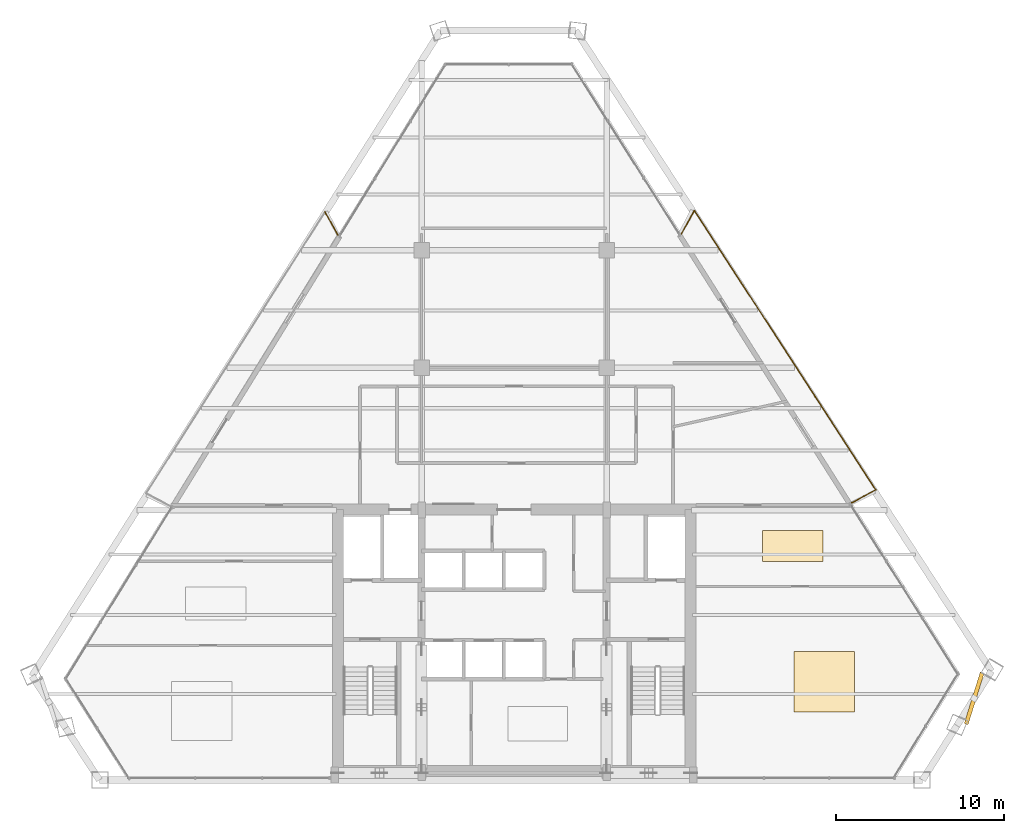
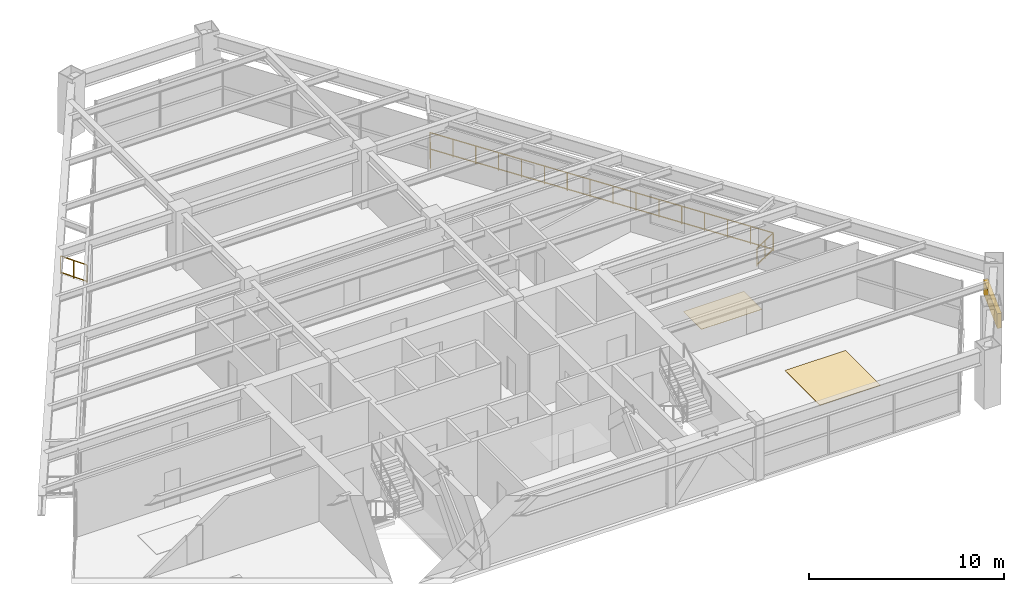
# One storey, part 15 of 15: 4 railings, 2 coverings, 1 shading device.
"""IFC4 building model written with IfcOpenShell, lengths in metres."""

from ifc_helpers import new_model, si_unit, direction, frame, origin, origin_2d, place, context, subcontext, project, spatial, rectangle, extrude, source, transform, mapped, material, layer, layer_set, type_object, type_shapes, element, save


model = new_model("IFC4")

# Units and contexts
model_context = context("Model", 3, precision=1e-05, world=origin(), true_north=direction((0.0, 1.0)))
body_context = subcontext(model_context, "Body", "Model", "MODEL_VIEW")
ifc_project = project(units=[si_unit("LENGTHUNIT", "METRE"), si_unit("AREAUNIT", "SQUARE_METRE"), si_unit("VOLUMEUNIT", "CUBIC_METRE"), si_unit("PLANEANGLEUNIT", "RADIAN"), si_unit("MASSUNIT", "GRAM", prefix="KILO")], contexts=[model_context])

# Site, building, storey
site_placement = place(None, origin())
site = spatial("IfcSite", under=ifc_project, at=site_placement, CompositionType="ELEMENT")
building_placement = place(site_placement, origin())
building = spatial("IfcBuilding", under=site, at=building_placement, Name="Varnakhor Terracotta Tower", CompositionType="ELEMENT")
storey_placement = place(building_placement, frame((0.0, 0.0, 189.5)))
storey = spatial("IfcBuildingStorey", under=building, at=storey_placement, Name="L48", CompositionType="ELEMENT", Elevation=189.5)

# Railings
ifc_material_1 = material(Name="Stainless Steel & Laminated Glass Guardrail", Category="steel")
railing_type = type_object("IfcRailingType", Name="RLG-LOGGIA-GUARD-1150", PredefinedType="GUARDRAIL", material=ifc_material_1)
railing_1_placement = place(storey_placement, frame((9.951416015625, 32.4755859375, 0.0)))
element("IfcRailing", 1, at=railing_1_placement, inside=storey, type_object=railing_type, Name="L48 E Loggia Glass Guard 1", PredefinedType="GUARDRAIL", context=body_context, shape_type="SweptSolid", body=[
    extrude(rectangle(XDim=0.048095703125, YDim=0.048095703125, at=origin_2d()), frame((0.0, 0.0, 1.1259765625), z_axis=(0.484472484481, 0.874806499622, 0.0), x_axis=(-0.874806499622, 0.484472484481, 0.0)), (0.0, 0.0, 1.0), 1.576904296875),
    extrude(rectangle(XDim=0.048095703125, YDim=0.048095703125, at=origin_2d()), frame((0.0, 0.0, 0.10009765625), z_axis=(0.484472484481, 0.874806499622, 0.0), x_axis=(-0.874806499622, 0.484472484481, 0.0)), (0.0, 0.0, 1.0), 1.576904296875),
    extrude(rectangle(XDim=0.0419921875, YDim=0.0419921875, at=origin_2d()), origin(), (0.0, 0.0, 1.0), 1.101806640625),
    extrude(rectangle(XDim=0.0419921875, YDim=0.0419921875, at=origin_2d()), frame((0.3818359375, 0.689697265625, 0.0)), (0.0, 0.0, 1.0), 1.101806640625),
    extrude(rectangle(XDim=0.0419921875, YDim=0.0419921875, at=origin_2d()), frame((0.763916015625, 1.37939453125, 0.0)), (0.0, 0.0, 1.0), 1.101806640625),
])
railing_2_placement = place(storey_placement, frame((10.71533203125, 33.85498046875, 0.0)))
element("IfcRailing", 2, at=railing_2_placement, inside=storey, type_object=railing_type, Name="L48 E Loggia Glass Guard 2", PredefinedType="GUARDRAIL", context=body_context, shape_type="SweptSolid", body=[
    extrude(rectangle(XDim=0.048095703125, YDim=0.048095703125, at=origin_2d()), frame((0.0, 0.0, 1.1259765625), z_axis=(0.544681827488, -0.838642776636, 0.0), x_axis=(0.838642776636, 0.544681827488, 0.0)), (0.0, 0.0, 1.0), 19.79541015625),
    extrude(rectangle(XDim=0.048095703125, YDim=0.048095703125, at=origin_2d()), frame((0.0, 0.0, 0.10009765625), z_axis=(0.544681827488, -0.838642776636, 0.0), x_axis=(0.838642776636, 0.544681827488, 0.0)), (0.0, 0.0, 1.0), 19.79541015625),
    extrude(rectangle(XDim=0.0419921875, YDim=0.0419921875, at=origin_2d()), origin(), (0.0, 0.0, 1.0), 1.101806640625),
    extrude(rectangle(XDim=0.0419921875, YDim=0.0419921875, at=origin_2d()), frame((0.71875, -1.106689453125, 0.0)), (0.0, 0.0, 1.0), 1.101806640625),
    extrude(rectangle(XDim=0.0419921875, YDim=0.0419921875, at=origin_2d()), frame((1.437744140625, -2.213623046875, 0.0)), (0.0, 0.0, 1.0), 1.101806640625),
    extrude(rectangle(XDim=0.0419921875, YDim=0.0419921875, at=origin_2d()), frame((2.156494140625, -3.3203125, 0.0)), (0.0, 0.0, 1.0), 1.101806640625),
    extrude(rectangle(XDim=0.0419921875, YDim=0.0419921875, at=origin_2d()), frame((2.875244140625, -4.427001953125, 0.0)), (0.0, 0.0, 1.0), 1.101806640625),
    extrude(rectangle(XDim=0.0419921875, YDim=0.0419921875, at=origin_2d()), frame((3.593994140625, -5.53369140625, 0.0)), (0.0, 0.0, 1.0), 1.101806640625),
    extrude(rectangle(XDim=0.0419921875, YDim=0.0419921875, at=origin_2d()), frame((4.31298828125, -6.640625, 0.0)), (0.0, 0.0, 1.0), 1.101806640625),
    extrude(rectangle(XDim=0.0419921875, YDim=0.0419921875, at=origin_2d()), frame((5.03173828125, -7.747314453125, 0.0)), (0.0, 0.0, 1.0), 1.101806640625),
    extrude(rectangle(XDim=0.0419921875, YDim=0.0419921875, at=origin_2d()), frame((5.75048828125, -8.85400390625, 0.0)), (0.0, 0.0, 1.0), 1.101806640625),
    extrude(rectangle(XDim=0.0419921875, YDim=0.0419921875, at=origin_2d()), frame((6.46923828125, -9.960693359375, 0.0)), (0.0, 0.0, 1.0), 1.101806640625),
    extrude(rectangle(XDim=0.0419921875, YDim=0.0419921875, at=origin_2d()), frame((7.188232421875, -11.067626953125, 0.0)), (0.0, 0.0, 1.0), 1.101806640625),
    extrude(rectangle(XDim=0.0419921875, YDim=0.0419921875, at=origin_2d()), frame((7.906982421875, -12.17431640625, 0.0)), (0.0, 0.0, 1.0), 1.101806640625),
    extrude(rectangle(XDim=0.0419921875, YDim=0.0419921875, at=origin_2d()), frame((8.625732421875, -13.281005859375, 0.0)), (0.0, 0.0, 1.0), 1.101806640625),
    extrude(rectangle(XDim=0.0419921875, YDim=0.0419921875, at=origin_2d()), frame((9.344482421875, -14.3876953125, 0.0)), (0.0, 0.0, 1.0), 1.101806640625),
    extrude(rectangle(XDim=0.0419921875, YDim=0.0419921875, at=origin_2d()), frame((10.0634765625, -15.49462890625, 0.0)), (0.0, 0.0, 1.0), 1.101806640625),
    extrude(rectangle(XDim=0.0419921875, YDim=0.0419921875, at=origin_2d()), frame((10.7822265625, -16.601318359375, 0.0)), (0.0, 0.0, 1.0), 1.101806640625),
])
railing_3_placement = place(storey_placement, frame((21.49755859375, 17.253662109375, 0.0)))
element("IfcRailing", 3, at=railing_3_placement, inside=storey, type_object=railing_type, Name="L48 E Loggia Glass Guard 3", PredefinedType="GUARDRAIL", context=body_context, shape_type="SweptSolid", body=[
    extrude(rectangle(XDim=0.048095703125, YDim=0.048095703125, at=origin_2d()), frame((0.0, 0.0, 1.1259765625), z_axis=(-0.877982096034, -0.47869347086, 0.0), x_axis=(0.47869347086, -0.877982096034, 0.0)), (0.0, 0.0, 1.0), 1.6171875),
    extrude(rectangle(XDim=0.048095703125, YDim=0.048095703125, at=origin_2d()), frame((0.0, 0.0, 0.10009765625), z_axis=(-0.877982096034, -0.47869347086, 0.0), x_axis=(0.47869347086, -0.877982096034, 0.0)), (0.0, 0.0, 1.0), 1.6171875),
    extrude(rectangle(XDim=0.0419921875, YDim=0.0419921875, at=origin_2d()), origin(), (0.0, 0.0, 1.0), 1.101806640625),
    extrude(rectangle(XDim=0.0419921875, YDim=0.0419921875, at=origin_2d()), frame((-0.7099609375, -0.38720703125, 0.0)), (0.0, 0.0, 1.0), 1.101806640625),
    extrude(rectangle(XDim=0.0419921875, YDim=0.0419921875, at=origin_2d()), frame((-1.419921875, -0.774169921875, 0.0)), (0.0, 0.0, 1.0), 1.101806640625),
])
railing_4_placement = place(storey_placement, frame((-11.243896484375, 33.775146484375, 0.0)))
element("IfcRailing", 4, at=railing_4_placement, inside=storey, type_object=railing_type, Name="L48 W Loggia Glass Guard 3", PredefinedType="GUARDRAIL", context=body_context, shape_type="SweptSolid", body=[
    extrude(rectangle(XDim=0.048095703125, YDim=0.048095703125, at=origin_2d()), frame((0.0, 0.0, 1.1259765625), z_axis=(0.486879582769, -0.873469101848, 0.0), x_axis=(0.873469101848, 0.486879582769, 0.0)), (0.0, 0.0, 1.0), 1.574951171875),
    extrude(rectangle(XDim=0.048095703125, YDim=0.048095703125, at=origin_2d()), frame((0.0, 0.0, 0.10009765625), z_axis=(0.486879582769, -0.873469101848, 0.0), x_axis=(0.873469101848, 0.486879582769, 0.0)), (0.0, 0.0, 1.0), 1.574951171875),
    extrude(rectangle(XDim=0.0419921875, YDim=0.0419921875, at=origin_2d()), origin(), (0.0, 0.0, 1.0), 1.101806640625),
    extrude(rectangle(XDim=0.0419921875, YDim=0.0419921875, at=origin_2d()), frame((0.38330078125, -0.68798828125, 0.0)), (0.0, 0.0, 1.0), 1.101806640625),
    extrude(rectangle(XDim=0.0419921875, YDim=0.0419921875, at=origin_2d()), frame((0.766845703125, -1.375732421875, 0.0)), (0.0, 0.0, 1.0), 1.101806640625),
])

# Shading device
ifc_material_2 = material(Name="Extruded Architectural Terracotta Screen", Category="masonry")
shading_device_type = type_object("IfcShadingDeviceType", Name="TERRACOTTA SOLAR SCREEN E", PredefinedType="USERDEFINED", material=ifc_material_2)
shared_shape_1 = source(origin(), body_context, "Body", "SweptSolid", [
    extrude(rectangle(XDim=3.199951171875, YDim=0.239990234375, at=origin_2d()), origin(), (0.0, 0.0, 1.0), 0.919921875),
])
type_shapes(shading_device_type, [shared_shape_1])
shading_device_placement = place(storey_placement, frame((27.348876953125, 4.852783203125, 1.7099609375), z_axis=(0.0, 0.0, 1.0), x_axis=(0.298074670338, 0.954542555836, 0.0)))
element("IfcShadingDevice", 5, at=shading_device_placement, inside=storey, type_object=shading_device_type, Name="L48 E Terracotta Solar Screen", ObjectType="SCREEN", PredefinedType="USERDEFINED", context=body_context, shape_type="MappedRepresentation", body=[
    mapped(shared_shape_1, transform((0.0, 0.0, 0.0), scale=1.0)),
])

# Coverings
ifc_material_3 = material(Name="Honed Riyadh Limestone Flooring", Category="masonry")
ifc_layer = layer(ifc_material_3, 0.030029296875, Name="Honed Riyadh Limestone Flooring")
ifc_layer_set = layer_set([ifc_layer], Name="Honed Riyadh Limestone Flooring")
covering_type = type_object("IfcCoveringType", Name="COV-FLOOR-LIMESTONE", PredefinedType="FLOORING", material=ifc_layer_set)
shared_shape_2 = source(origin(), body_context, "Body", "SweptSolid", [
    extrude(rectangle(XDim=3.60009765625, YDim=3.60009765625, at=origin_2d()), origin(), (0.0, 0.0, 1.0), 0.02001953125),
])
covering_1_placement = place(storey_placement, frame((18.447021484375, 5.85205078125, 0.0), z_axis=(0.0, 0.0, 1.0), x_axis=(1.0, 0.0, 0.0)))
element("IfcCovering", 6, at=covering_1_placement, inside=storey, type_object=covering_type, Name="L48 Honed Stone Flooring 3", PredefinedType="FLOORING", context=body_context, shape_type="MappedRepresentation", body=[
    mapped(shared_shape_2, transform((0.0, 0.0, 0.0), scale=1.0)),
])
shared_shape_3 = source(origin(), body_context, "Body", "SweptSolid", [
    extrude(rectangle(XDim=3.60009765625, YDim=1.85693359375, at=origin_2d()), origin(), (0.0, 0.0, 1.0), 0.02001953125),
])
covering_2_placement = place(storey_placement, frame((16.570068359375, 13.9140625, 0.0), z_axis=(0.0, 0.0, 1.0), x_axis=(1.0, 0.0, 0.0)))
element("IfcCovering", 7, at=covering_2_placement, inside=storey, type_object=covering_type, Name="L48 Honed Stone Flooring 5", PredefinedType="FLOORING", context=body_context, shape_type="MappedRepresentation", body=[
    mapped(shared_shape_3, transform((0.0, 0.0, 0.0), scale=1.0)),
])

save(model, "model.ifc")
